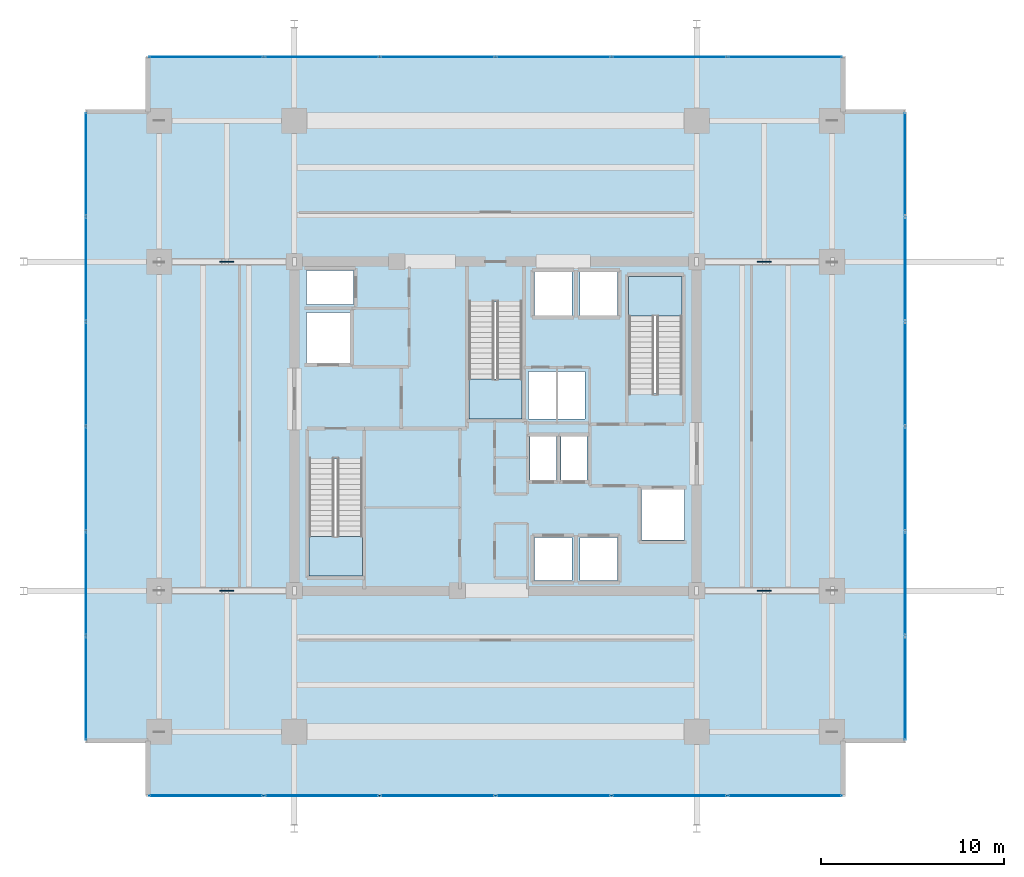
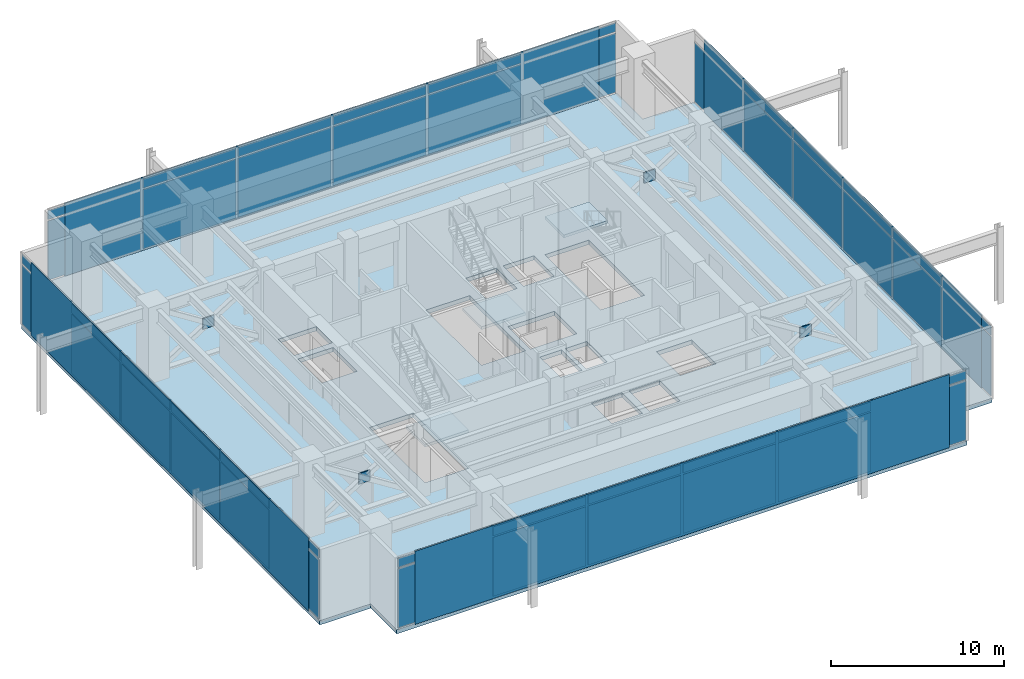
# One storey, part 17 of 21: 55 plates, 4 slabs, 7 elements without a shape of their own.
"""IFC4 building model written with IfcOpenShell, lengths in metres."""

from ifc_helpers import new_model, si_unit, direction, frame, origin, origin_2d, place, context, subcontext, project, spatial, polyline, rectangle, outline, extrude, material, layer, layer_set, type_object, element, aggregate, save


model = new_model("IFC4")

# Units and contexts
model_context = context("Model", 3, precision=1e-05, world=origin(), true_north=direction((0.0, 1.0)))
body_context = subcontext(model_context, "Body", "Model", "MODEL_VIEW")
ifc_project = project(units=[si_unit("LENGTHUNIT", "METRE"), si_unit("AREAUNIT", "SQUARE_METRE"), si_unit("VOLUMEUNIT", "CUBIC_METRE"), si_unit("PLANEANGLEUNIT", "RADIAN"), si_unit("MASSUNIT", "GRAM", prefix="KILO")], contexts=[model_context])

# Site, building, storey
site_placement = place(None, origin())
site = spatial("IfcSite", under=ifc_project, at=site_placement, CompositionType="ELEMENT")
building_placement = place(site_placement, origin())
building = spatial("IfcBuilding", under=site, at=building_placement, Name="Kovane Verandah Tower", CompositionType="ELEMENT")
storey_placement = place(building_placement, frame((0.0, 0.0, 189.39990234375)))
storey = spatial("IfcBuildingStorey", under=building, at=storey_placement, Name="L44", CompositionType="ELEMENT", Elevation=189.39990234375)

# Curtain wall, plates
ifc_material_1 = material(Name="Champagne Anodised Aluminium Frame with Low-E Clear Laminated Glass", Category="aluminium")
curtain_wall_type = type_object("IfcCurtainWallType", Name="CW-SYS-04-WAIST", PredefinedType="NOTDEFINED", material=ifc_material_1)
curtain_wall_1_placement = place(storey_placement, origin())
curtain_wall_1 = element("IfcCurtainWall", 1, at=curtain_wall_1_placement, inside=storey, type_object=curtain_wall_type, Name="L44 S Unitised Curtain Wall", PredefinedType="NOTDEFINED")
ifc_material_2 = material(Name="Pale Champagne Anodised Aluminium Insulated Spandrel", Category="aluminium")
ifc_layer_1 = layer(ifc_material_2, 0.0400390625)
ifc_layer_set_1 = layer_set([ifc_layer_1], Name="Pale Champagne Anodised Aluminium Insulated Spandrel")
plate_type_1 = type_object("IfcPlateType", Name="PL-CW-SPD-40", PredefinedType="SHEET", material=ifc_layer_set_1)
plate_1_placement = place(storey_placement, frame((24.166748046875, 7.300048828125, 4.3701171875), z_axis=(0.0, 0.0, 1.0), x_axis=(1.0, 0.0, 0.0)))
plate_1 = element("IfcPlate", 2, at=plate_1_placement, type_object=plate_type_1, Name="L44 S Unitised Curtain Wall Spandrel Panel 1", PredefinedType="SHEET", context=body_context, shape_type="SweptSolid", body=[
    extrude(rectangle(XDim=6.193359375, YDim=0.0400390625, at=origin_2d()), origin(), (0.0, 0.0, 1.0), 0.639892578125),
])
plate_2_placement = place(storey_placement, frame((30.5, 7.300048828125, 4.3701171875), z_axis=(0.0, 0.0, 1.0), x_axis=(1.0, 0.0, 0.0)))
plate_2 = element("IfcPlate", 3, at=plate_2_placement, type_object=plate_type_1, Name="L44 S Unitised Curtain Wall Spandrel Panel 2", PredefinedType="SHEET", context=body_context, shape_type="SweptSolid", body=[
    extrude(rectangle(XDim=6.193359375, YDim=0.0400390625, at=origin_2d()), origin(), (0.0, 0.0, 1.0), 0.639892578125),
])
plate_3_placement = place(storey_placement, frame((36.833251953125, 7.300048828125, 4.3701171875), z_axis=(0.0, 0.0, 1.0), x_axis=(1.0, 0.0, 0.0)))
plate_3 = element("IfcPlate", 4, at=plate_3_placement, type_object=plate_type_1, Name="L44 S Unitised Curtain Wall Spandrel Panel 3", PredefinedType="SHEET", context=body_context, shape_type="SweptSolid", body=[
    extrude(rectangle(XDim=6.193359375, YDim=0.0400390625, at=origin_2d()), origin(), (0.0, 0.0, 1.0), 0.639892578125),
])
plate_4_placement = place(storey_placement, frame((43.166748046875, 7.300048828125, 4.3701171875), z_axis=(0.0, 0.0, 1.0), x_axis=(1.0, 0.0, 0.0)))
plate_4 = element("IfcPlate", 5, at=plate_4_placement, type_object=plate_type_1, Name="L44 S Unitised Curtain Wall Spandrel Panel 4", PredefinedType="SHEET", context=body_context, shape_type="SweptSolid", body=[
    extrude(rectangle(XDim=6.193359375, YDim=0.0400390625, at=origin_2d()), origin(), (0.0, 0.0, 1.0), 0.639892578125),
])
plate_5_placement = place(storey_placement, frame((49.5, 7.300048828125, 4.3701171875), z_axis=(0.0, 0.0, 1.0), x_axis=(1.0, 0.0, 0.0)))
plate_5 = element("IfcPlate", 6, at=plate_5_placement, type_object=plate_type_1, Name="L44 S Unitised Curtain Wall Spandrel Panel 5", PredefinedType="SHEET", context=body_context, shape_type="SweptSolid", body=[
    extrude(rectangle(XDim=6.193359375, YDim=0.0400390625, at=origin_2d()), origin(), (0.0, 0.0, 1.0), 0.639892578125),
])
plate_6_placement = place(storey_placement, frame((55.833251953125, 7.300048828125, 4.3701171875), z_axis=(0.0, 0.0, 1.0), x_axis=(1.0, 0.0, 0.0)))
plate_6 = element("IfcPlate", 7, at=plate_6_placement, type_object=plate_type_1, Name="L44 S Unitised Curtain Wall Spandrel Panel 6", PredefinedType="SHEET", context=body_context, shape_type="SweptSolid", body=[
    extrude(rectangle(XDim=6.193359375, YDim=0.0400390625, at=origin_2d()), origin(), (0.0, 0.0, 1.0), 0.639892578125),
])

curtain_wall_2_placement = place(storey_placement, origin())
curtain_wall_2 = element("IfcCurtainWall", 8, at=curtain_wall_2_placement, inside=storey, type_object=curtain_wall_type, Name="L44 E Unitised Curtain Wall", PredefinedType="NOTDEFINED")
plate_7_placement = place(storey_placement, frame((62.39990234375, 13.166748046875, 4.3701171875), z_axis=(0.0, 0.0, 1.0), x_axis=(0.0, 1.0, 0.0)))
plate_7 = element("IfcPlate", 9, at=plate_7_placement, type_object=plate_type_1, Name="L44 E Unitised Curtain Wall Spandrel Panel 1", PredefinedType="SHEET", context=body_context, shape_type="SweptSolid", body=[
    extrude(rectangle(XDim=5.59326171875, YDim=0.0400390625, at=origin_2d()), origin(), (0.0, 0.0, 1.0), 0.639892578125),
])
plate_8_placement = place(storey_placement, frame((62.39990234375, 18.89990234375, 4.3701171875), z_axis=(0.0, 0.0, 1.0), x_axis=(0.0, 1.0, 0.0)))
plate_8 = element("IfcPlate", 10, at=plate_8_placement, type_object=plate_type_1, Name="L44 E Unitised Curtain Wall Spandrel Panel 2", PredefinedType="SHEET", context=body_context, shape_type="SweptSolid", body=[
    extrude(rectangle(XDim=5.59326171875, YDim=0.0400390625, at=origin_2d()), origin(), (0.0, 0.0, 1.0), 0.639892578125),
])
plate_9_placement = place(storey_placement, frame((62.39990234375, 24.63330078125, 4.3701171875), z_axis=(0.0, 0.0, 1.0), x_axis=(0.0, 1.0, 0.0)))
plate_9 = element("IfcPlate", 11, at=plate_9_placement, type_object=plate_type_1, Name="L44 E Unitised Curtain Wall Spandrel Panel 3", PredefinedType="SHEET", context=body_context, shape_type="SweptSolid", body=[
    extrude(rectangle(XDim=5.59326171875, YDim=0.0400390625, at=origin_2d()), origin(), (0.0, 0.0, 1.0), 0.639892578125),
])
plate_10_placement = place(storey_placement, frame((62.39990234375, 30.36669921875, 4.3701171875), z_axis=(0.0, 0.0, 1.0), x_axis=(0.0, 1.0, 0.0)))
plate_10 = element("IfcPlate", 12, at=plate_10_placement, type_object=plate_type_1, Name="L44 E Unitised Curtain Wall Spandrel Panel 4", PredefinedType="SHEET", context=body_context, shape_type="SweptSolid", body=[
    extrude(rectangle(XDim=5.59326171875, YDim=0.0400390625, at=origin_2d()), origin(), (0.0, 0.0, 1.0), 0.639892578125),
])
plate_11_placement = place(storey_placement, frame((62.39990234375, 36.10009765625, 4.3701171875), z_axis=(0.0, 0.0, 1.0), x_axis=(0.0, 1.0, 0.0)))
plate_11 = element("IfcPlate", 13, at=plate_11_placement, type_object=plate_type_1, Name="L44 E Unitised Curtain Wall Spandrel Panel 5", PredefinedType="SHEET", context=body_context, shape_type="SweptSolid", body=[
    extrude(rectangle(XDim=5.59326171875, YDim=0.0400390625, at=origin_2d()), origin(), (0.0, 0.0, 1.0), 0.639892578125),
])

curtain_wall_3_placement = place(storey_placement, origin())
curtain_wall_3 = element("IfcCurtainWall", 14, at=curtain_wall_3_placement, inside=storey, type_object=curtain_wall_type, Name="L44 N Unitised Curtain Wall", PredefinedType="NOTDEFINED")
plate_12_placement = place(storey_placement, frame((55.833251953125, 47.699951171875, 4.3701171875), z_axis=(0.0, 0.0, 1.0), x_axis=(-1.0, 0.0, 0.0)))
plate_12 = element("IfcPlate", 15, at=plate_12_placement, type_object=plate_type_1, Name="L44 N Unitised Curtain Wall Spandrel Panel 1", PredefinedType="SHEET", context=body_context, shape_type="SweptSolid", body=[
    extrude(rectangle(XDim=6.193359375, YDim=0.0400390625, at=origin_2d()), origin(), (0.0, 0.0, 1.0), 0.639892578125),
])
plate_13_placement = place(storey_placement, frame((49.5, 47.699951171875, 4.3701171875), z_axis=(0.0, 0.0, 1.0), x_axis=(-1.0, 0.0, 0.0)))
plate_13 = element("IfcPlate", 16, at=plate_13_placement, type_object=plate_type_1, Name="L44 N Unitised Curtain Wall Spandrel Panel 2", PredefinedType="SHEET", context=body_context, shape_type="SweptSolid", body=[
    extrude(rectangle(XDim=6.193359375, YDim=0.0400390625, at=origin_2d()), origin(), (0.0, 0.0, 1.0), 0.639892578125),
])
plate_14_placement = place(storey_placement, frame((43.166748046875, 47.699951171875, 4.3701171875), z_axis=(0.0, 0.0, 1.0), x_axis=(-1.0, 0.0, 0.0)))
plate_14 = element("IfcPlate", 17, at=plate_14_placement, type_object=plate_type_1, Name="L44 N Unitised Curtain Wall Spandrel Panel 3", PredefinedType="SHEET", context=body_context, shape_type="SweptSolid", body=[
    extrude(rectangle(XDim=6.193359375, YDim=0.0400390625, at=origin_2d()), origin(), (0.0, 0.0, 1.0), 0.639892578125),
])
plate_15_placement = place(storey_placement, frame((36.833251953125, 47.699951171875, 4.3701171875), z_axis=(0.0, 0.0, 1.0), x_axis=(-1.0, 0.0, 0.0)))
plate_15 = element("IfcPlate", 18, at=plate_15_placement, type_object=plate_type_1, Name="L44 N Unitised Curtain Wall Spandrel Panel 4", PredefinedType="SHEET", context=body_context, shape_type="SweptSolid", body=[
    extrude(rectangle(XDim=6.193359375, YDim=0.0400390625, at=origin_2d()), origin(), (0.0, 0.0, 1.0), 0.639892578125),
])
plate_16_placement = place(storey_placement, frame((30.5, 47.699951171875, 4.3701171875), z_axis=(0.0, 0.0, 1.0), x_axis=(-1.0, 0.0, 0.0)))
plate_16 = element("IfcPlate", 19, at=plate_16_placement, type_object=plate_type_1, Name="L44 N Unitised Curtain Wall Spandrel Panel 5", PredefinedType="SHEET", context=body_context, shape_type="SweptSolid", body=[
    extrude(rectangle(XDim=6.193359375, YDim=0.0400390625, at=origin_2d()), origin(), (0.0, 0.0, 1.0), 0.639892578125),
])
plate_17_placement = place(storey_placement, frame((24.166748046875, 47.699951171875, 4.3701171875), z_axis=(0.0, 0.0, 1.0), x_axis=(-1.0, 0.0, 0.0)))
plate_17 = element("IfcPlate", 20, at=plate_17_placement, type_object=plate_type_1, Name="L44 N Unitised Curtain Wall Spandrel Panel 6", PredefinedType="SHEET", context=body_context, shape_type="SweptSolid", body=[
    extrude(rectangle(XDim=6.193359375, YDim=0.0400390625, at=origin_2d()), origin(), (0.0, 0.0, 1.0), 0.639892578125),
])

curtain_wall_4_placement = place(storey_placement, origin())
curtain_wall_4 = element("IfcCurtainWall", 21, at=curtain_wall_4_placement, inside=storey, type_object=curtain_wall_type, Name="L44 W Unitised Curtain Wall", PredefinedType="NOTDEFINED")
plate_18_placement = place(storey_placement, frame((17.60009765625, 41.833251953125, 4.3701171875), z_axis=(0.0, 0.0, 1.0), x_axis=(0.0, -1.0, 0.0)))
plate_18 = element("IfcPlate", 22, at=plate_18_placement, type_object=plate_type_1, Name="L44 W Unitised Curtain Wall Spandrel Panel 1", PredefinedType="SHEET", context=body_context, shape_type="SweptSolid", body=[
    extrude(rectangle(XDim=5.59326171875, YDim=0.0400390625, at=origin_2d()), origin(), (0.0, 0.0, 1.0), 0.639892578125),
])
plate_19_placement = place(storey_placement, frame((17.60009765625, 36.10009765625, 4.3701171875), z_axis=(0.0, 0.0, 1.0), x_axis=(0.0, -1.0, 0.0)))
plate_19 = element("IfcPlate", 23, at=plate_19_placement, type_object=plate_type_1, Name="L44 W Unitised Curtain Wall Spandrel Panel 2", PredefinedType="SHEET", context=body_context, shape_type="SweptSolid", body=[
    extrude(rectangle(XDim=5.59326171875, YDim=0.0400390625, at=origin_2d()), origin(), (0.0, 0.0, 1.0), 0.639892578125),
])
plate_20_placement = place(storey_placement, frame((17.60009765625, 30.36669921875, 4.3701171875), z_axis=(0.0, 0.0, 1.0), x_axis=(0.0, -1.0, 0.0)))
plate_20 = element("IfcPlate", 24, at=plate_20_placement, type_object=plate_type_1, Name="L44 W Unitised Curtain Wall Spandrel Panel 3", PredefinedType="SHEET", context=body_context, shape_type="SweptSolid", body=[
    extrude(rectangle(XDim=5.59326171875, YDim=0.0400390625, at=origin_2d()), origin(), (0.0, 0.0, 1.0), 0.639892578125),
])
plate_21_placement = place(storey_placement, frame((17.60009765625, 24.63330078125, 4.3701171875), z_axis=(0.0, 0.0, 1.0), x_axis=(0.0, -1.0, 0.0)))
plate_21 = element("IfcPlate", 25, at=plate_21_placement, type_object=plate_type_1, Name="L44 W Unitised Curtain Wall Spandrel Panel 4", PredefinedType="SHEET", context=body_context, shape_type="SweptSolid", body=[
    extrude(rectangle(XDim=5.59326171875, YDim=0.0400390625, at=origin_2d()), origin(), (0.0, 0.0, 1.0), 0.639892578125),
])
plate_22_placement = place(storey_placement, frame((17.60009765625, 18.89990234375, 4.3701171875), z_axis=(0.0, 0.0, 1.0), x_axis=(0.0, -1.0, 0.0)))
plate_22 = element("IfcPlate", 26, at=plate_22_placement, type_object=plate_type_1, Name="L44 W Unitised Curtain Wall Spandrel Panel 5", PredefinedType="SHEET", context=body_context, shape_type="SweptSolid", body=[
    extrude(rectangle(XDim=5.59326171875, YDim=0.0400390625, at=origin_2d()), origin(), (0.0, 0.0, 1.0), 0.639892578125),
])
plate_23_placement = place(storey_placement, frame((17.60009765625, 13.166748046875, 4.3701171875), z_axis=(0.0, 0.0, 1.0), x_axis=(0.0, -1.0, 0.0)))
plate_23 = element("IfcPlate", 27, at=plate_23_placement, type_object=plate_type_1, Name="L44 W Unitised Curtain Wall Spandrel Panel 6", PredefinedType="SHEET", context=body_context, shape_type="SweptSolid", body=[
    extrude(rectangle(XDim=5.59326171875, YDim=0.0400390625, at=origin_2d()), origin(), (0.0, 0.0, 1.0), 0.639892578125),
])

# Plate
ifc_material_3 = material(Name="Clear Low-E Laminated Double Glazing", Category="glass")
ifc_layer_2 = layer(ifc_material_3, 0.031982421875)
ifc_layer_set_2 = layer_set([ifc_layer_2], Name="Clear Low-E Laminated Double Glazing")
plate_type_2 = type_object("IfcPlateType", Name="PL-CW-VIS-32", PredefinedType="CURTAIN_PANEL", material=ifc_layer_set_2)
plate_24_placement = place(storey_placement, frame((24.166748046875, 7.300048828125, 0.10009765625), z_axis=(0.0, 0.0, 1.0), x_axis=(1.0, 0.0, 0.0)))
plate_24 = element("IfcPlate", 28, at=plate_24_placement, type_object=plate_type_2, Name="L44 S Unitised Curtain Wall Vision Panel 1", PredefinedType="CURTAIN_PANEL", context=body_context, shape_type="SweptSolid", body=[
    extrude(rectangle(XDim=6.193359375, YDim=0.031982421875, at=origin_2d()), origin(), (0.0, 0.0, 1.0), 4.169921875),
])

plate_25_placement = place(storey_placement, frame((30.5, 7.300048828125, 0.10009765625), z_axis=(0.0, 0.0, 1.0), x_axis=(1.0, 0.0, 0.0)))
plate_25 = element("IfcPlate", 29, at=plate_25_placement, type_object=plate_type_2, Name="L44 S Unitised Curtain Wall Vision Panel 2", PredefinedType="CURTAIN_PANEL", context=body_context, shape_type="SweptSolid", body=[
    extrude(rectangle(XDim=6.193359375, YDim=0.031982421875, at=origin_2d()), origin(), (0.0, 0.0, 1.0), 4.169921875),
])

plate_26_placement = place(storey_placement, frame((36.833251953125, 7.300048828125, 0.10009765625), z_axis=(0.0, 0.0, 1.0), x_axis=(1.0, 0.0, 0.0)))
plate_26 = element("IfcPlate", 30, at=plate_26_placement, type_object=plate_type_2, Name="L44 S Unitised Curtain Wall Vision Panel 3", PredefinedType="CURTAIN_PANEL", context=body_context, shape_type="SweptSolid", body=[
    extrude(rectangle(XDim=6.193359375, YDim=0.031982421875, at=origin_2d()), origin(), (0.0, 0.0, 1.0), 4.169921875),
])

plate_27_placement = place(storey_placement, frame((43.166748046875, 7.300048828125, 0.10009765625), z_axis=(0.0, 0.0, 1.0), x_axis=(1.0, 0.0, 0.0)))
plate_27 = element("IfcPlate", 31, at=plate_27_placement, type_object=plate_type_2, Name="L44 S Unitised Curtain Wall Vision Panel 4", PredefinedType="CURTAIN_PANEL", context=body_context, shape_type="SweptSolid", body=[
    extrude(rectangle(XDim=6.193359375, YDim=0.031982421875, at=origin_2d()), origin(), (0.0, 0.0, 1.0), 4.169921875),
])

plate_28_placement = place(storey_placement, frame((49.5, 7.300048828125, 0.10009765625), z_axis=(0.0, 0.0, 1.0), x_axis=(1.0, 0.0, 0.0)))
plate_28 = element("IfcPlate", 32, at=plate_28_placement, type_object=plate_type_2, Name="L44 S Unitised Curtain Wall Vision Panel 5", PredefinedType="CURTAIN_PANEL", context=body_context, shape_type="SweptSolid", body=[
    extrude(rectangle(XDim=6.193359375, YDim=0.031982421875, at=origin_2d()), origin(), (0.0, 0.0, 1.0), 4.169921875),
])

plate_29_placement = place(storey_placement, frame((55.833251953125, 7.300048828125, 0.10009765625), z_axis=(0.0, 0.0, 1.0), x_axis=(1.0, 0.0, 0.0)))
plate_29 = element("IfcPlate", 33, at=plate_29_placement, type_object=plate_type_2, Name="L44 S Unitised Curtain Wall Vision Panel 6", PredefinedType="CURTAIN_PANEL", context=body_context, shape_type="SweptSolid", body=[
    extrude(rectangle(XDim=6.193359375, YDim=0.031982421875, at=origin_2d()), origin(), (0.0, 0.0, 1.0), 4.169921875),
])

aggregate(curtain_wall_1, [plate_24, plate_1, plate_25, plate_2, plate_26, plate_3, plate_27, plate_4, plate_28, plate_5, plate_29, plate_6])

plate_30_placement = place(storey_placement, frame((62.39990234375, 13.166748046875, 0.10009765625), z_axis=(0.0, 0.0, 1.0), x_axis=(0.0, 1.0, 0.0)))
plate_30 = element("IfcPlate", 34, at=plate_30_placement, type_object=plate_type_2, Name="L44 E Unitised Curtain Wall Vision Panel 1", PredefinedType="CURTAIN_PANEL", context=body_context, shape_type="SweptSolid", body=[
    extrude(rectangle(XDim=5.59326171875, YDim=0.031982421875, at=origin_2d()), origin(), (0.0, 0.0, 1.0), 4.169921875),
])

plate_31_placement = place(storey_placement, frame((62.39990234375, 18.89990234375, 0.10009765625), z_axis=(0.0, 0.0, 1.0), x_axis=(0.0, 1.0, 0.0)))
plate_31 = element("IfcPlate", 35, at=plate_31_placement, type_object=plate_type_2, Name="L44 E Unitised Curtain Wall Vision Panel 2", PredefinedType="CURTAIN_PANEL", context=body_context, shape_type="SweptSolid", body=[
    extrude(rectangle(XDim=5.59326171875, YDim=0.031982421875, at=origin_2d()), origin(), (0.0, 0.0, 1.0), 4.169921875),
])

plate_32_placement = place(storey_placement, frame((62.39990234375, 24.63330078125, 0.10009765625), z_axis=(0.0, 0.0, 1.0), x_axis=(0.0, 1.0, 0.0)))
plate_32 = element("IfcPlate", 36, at=plate_32_placement, type_object=plate_type_2, Name="L44 E Unitised Curtain Wall Vision Panel 3", PredefinedType="CURTAIN_PANEL", context=body_context, shape_type="SweptSolid", body=[
    extrude(rectangle(XDim=5.59326171875, YDim=0.031982421875, at=origin_2d()), origin(), (0.0, 0.0, 1.0), 4.169921875),
])

plate_33_placement = place(storey_placement, frame((62.39990234375, 30.36669921875, 0.10009765625), z_axis=(0.0, 0.0, 1.0), x_axis=(0.0, 1.0, 0.0)))
plate_33 = element("IfcPlate", 37, at=plate_33_placement, type_object=plate_type_2, Name="L44 E Unitised Curtain Wall Vision Panel 4", PredefinedType="CURTAIN_PANEL", context=body_context, shape_type="SweptSolid", body=[
    extrude(rectangle(XDim=5.59326171875, YDim=0.031982421875, at=origin_2d()), origin(), (0.0, 0.0, 1.0), 4.169921875),
])

plate_34_placement = place(storey_placement, frame((62.39990234375, 36.10009765625, 0.10009765625), z_axis=(0.0, 0.0, 1.0), x_axis=(0.0, 1.0, 0.0)))
plate_34 = element("IfcPlate", 38, at=plate_34_placement, type_object=plate_type_2, Name="L44 E Unitised Curtain Wall Vision Panel 5", PredefinedType="CURTAIN_PANEL", context=body_context, shape_type="SweptSolid", body=[
    extrude(rectangle(XDim=5.59326171875, YDim=0.031982421875, at=origin_2d()), origin(), (0.0, 0.0, 1.0), 4.169921875),
])

plate_35_placement = place(storey_placement, frame((62.39990234375, 41.833251953125, 0.10009765625), z_axis=(0.0, 0.0, 1.0), x_axis=(0.0, 1.0, 0.0)))
plate_35 = element("IfcPlate", 39, at=plate_35_placement, type_object=plate_type_2, Name="L44 E Unitised Curtain Wall Vision Panel 6", PredefinedType="CURTAIN_PANEL", context=body_context, shape_type="SweptSolid", body=[
    extrude(rectangle(XDim=5.59326171875, YDim=0.031982421875, at=origin_2d()), origin(), (0.0, 0.0, 1.0), 4.169921875),
])

aggregate(curtain_wall_2, [plate_30, plate_7, plate_31, plate_8, plate_32, plate_9, plate_33, plate_10, plate_34, plate_11, plate_35])

plate_36_placement = place(storey_placement, frame((55.833251953125, 47.699951171875, 0.10009765625), z_axis=(0.0, 0.0, 1.0), x_axis=(-1.0, 0.0, 0.0)))
plate_36 = element("IfcPlate", 40, at=plate_36_placement, type_object=plate_type_2, Name="L44 N Unitised Curtain Wall Vision Panel 1", PredefinedType="CURTAIN_PANEL", context=body_context, shape_type="SweptSolid", body=[
    extrude(rectangle(XDim=6.193359375, YDim=0.031982421875, at=origin_2d()), origin(), (0.0, 0.0, 1.0), 4.169921875),
])

plate_37_placement = place(storey_placement, frame((49.5, 47.699951171875, 0.10009765625), z_axis=(0.0, 0.0, 1.0), x_axis=(-1.0, 0.0, 0.0)))
plate_37 = element("IfcPlate", 41, at=plate_37_placement, type_object=plate_type_2, Name="L44 N Unitised Curtain Wall Vision Panel 2", PredefinedType="CURTAIN_PANEL", context=body_context, shape_type="SweptSolid", body=[
    extrude(rectangle(XDim=6.193359375, YDim=0.031982421875, at=origin_2d()), origin(), (0.0, 0.0, 1.0), 4.169921875),
])

plate_38_placement = place(storey_placement, frame((43.166748046875, 47.699951171875, 0.10009765625), z_axis=(0.0, 0.0, 1.0), x_axis=(-1.0, 0.0, 0.0)))
plate_38 = element("IfcPlate", 42, at=plate_38_placement, type_object=plate_type_2, Name="L44 N Unitised Curtain Wall Vision Panel 3", PredefinedType="CURTAIN_PANEL", context=body_context, shape_type="SweptSolid", body=[
    extrude(rectangle(XDim=6.193359375, YDim=0.031982421875, at=origin_2d()), origin(), (0.0, 0.0, 1.0), 4.169921875),
])

plate_39_placement = place(storey_placement, frame((36.833251953125, 47.699951171875, 0.10009765625), z_axis=(0.0, 0.0, 1.0), x_axis=(-1.0, 0.0, 0.0)))
plate_39 = element("IfcPlate", 43, at=plate_39_placement, type_object=plate_type_2, Name="L44 N Unitised Curtain Wall Vision Panel 4", PredefinedType="CURTAIN_PANEL", context=body_context, shape_type="SweptSolid", body=[
    extrude(rectangle(XDim=6.193359375, YDim=0.031982421875, at=origin_2d()), origin(), (0.0, 0.0, 1.0), 4.169921875),
])

plate_40_placement = place(storey_placement, frame((30.5, 47.699951171875, 0.10009765625), z_axis=(0.0, 0.0, 1.0), x_axis=(-1.0, 0.0, 0.0)))
plate_40 = element("IfcPlate", 44, at=plate_40_placement, type_object=plate_type_2, Name="L44 N Unitised Curtain Wall Vision Panel 5", PredefinedType="CURTAIN_PANEL", context=body_context, shape_type="SweptSolid", body=[
    extrude(rectangle(XDim=6.193359375, YDim=0.031982421875, at=origin_2d()), origin(), (0.0, 0.0, 1.0), 4.169921875),
])

plate_41_placement = place(storey_placement, frame((24.166748046875, 47.699951171875, 0.10009765625), z_axis=(0.0, 0.0, 1.0), x_axis=(-1.0, 0.0, 0.0)))
plate_41 = element("IfcPlate", 45, at=plate_41_placement, type_object=plate_type_2, Name="L44 N Unitised Curtain Wall Vision Panel 6", PredefinedType="CURTAIN_PANEL", context=body_context, shape_type="SweptSolid", body=[
    extrude(rectangle(XDim=6.193359375, YDim=0.031982421875, at=origin_2d()), origin(), (0.0, 0.0, 1.0), 4.169921875),
])

aggregate(curtain_wall_3, [plate_36, plate_12, plate_37, plate_13, plate_38, plate_14, plate_39, plate_15, plate_40, plate_16, plate_41, plate_17])

plate_42_placement = place(storey_placement, frame((17.60009765625, 41.833251953125, 0.10009765625), z_axis=(0.0, 0.0, 1.0), x_axis=(0.0, -1.0, 0.0)))
plate_42 = element("IfcPlate", 46, at=plate_42_placement, type_object=plate_type_2, Name="L44 W Unitised Curtain Wall Vision Panel 1", PredefinedType="CURTAIN_PANEL", context=body_context, shape_type="SweptSolid", body=[
    extrude(rectangle(XDim=5.59326171875, YDim=0.031982421875, at=origin_2d()), origin(), (0.0, 0.0, 1.0), 4.169921875),
])

plate_43_placement = place(storey_placement, frame((17.60009765625, 36.10009765625, 0.10009765625), z_axis=(0.0, 0.0, 1.0), x_axis=(0.0, -1.0, 0.0)))
plate_43 = element("IfcPlate", 47, at=plate_43_placement, type_object=plate_type_2, Name="L44 W Unitised Curtain Wall Vision Panel 2", PredefinedType="CURTAIN_PANEL", context=body_context, shape_type="SweptSolid", body=[
    extrude(rectangle(XDim=5.59326171875, YDim=0.031982421875, at=origin_2d()), origin(), (0.0, 0.0, 1.0), 4.169921875),
])

plate_44_placement = place(storey_placement, frame((17.60009765625, 30.36669921875, 0.10009765625), z_axis=(0.0, 0.0, 1.0), x_axis=(0.0, -1.0, 0.0)))
plate_44 = element("IfcPlate", 48, at=plate_44_placement, type_object=plate_type_2, Name="L44 W Unitised Curtain Wall Vision Panel 3", PredefinedType="CURTAIN_PANEL", context=body_context, shape_type="SweptSolid", body=[
    extrude(rectangle(XDim=5.59326171875, YDim=0.031982421875, at=origin_2d()), origin(), (0.0, 0.0, 1.0), 4.169921875),
])

plate_45_placement = place(storey_placement, frame((17.60009765625, 24.63330078125, 0.10009765625), z_axis=(0.0, 0.0, 1.0), x_axis=(0.0, -1.0, 0.0)))
plate_45 = element("IfcPlate", 49, at=plate_45_placement, type_object=plate_type_2, Name="L44 W Unitised Curtain Wall Vision Panel 4", PredefinedType="CURTAIN_PANEL", context=body_context, shape_type="SweptSolid", body=[
    extrude(rectangle(XDim=5.59326171875, YDim=0.031982421875, at=origin_2d()), origin(), (0.0, 0.0, 1.0), 4.169921875),
])

plate_46_placement = place(storey_placement, frame((17.60009765625, 18.89990234375, 0.10009765625), z_axis=(0.0, 0.0, 1.0), x_axis=(0.0, -1.0, 0.0)))
plate_46 = element("IfcPlate", 50, at=plate_46_placement, type_object=plate_type_2, Name="L44 W Unitised Curtain Wall Vision Panel 5", PredefinedType="CURTAIN_PANEL", context=body_context, shape_type="SweptSolid", body=[
    extrude(rectangle(XDim=5.59326171875, YDim=0.031982421875, at=origin_2d()), origin(), (0.0, 0.0, 1.0), 4.169921875),
])

plate_47_placement = place(storey_placement, frame((17.60009765625, 13.166748046875, 0.10009765625), z_axis=(0.0, 0.0, 1.0), x_axis=(0.0, -1.0, 0.0)))
plate_47 = element("IfcPlate", 51, at=plate_47_placement, type_object=plate_type_2, Name="L44 W Unitised Curtain Wall Vision Panel 6", PredefinedType="CURTAIN_PANEL", context=body_context, shape_type="SweptSolid", body=[
    extrude(rectangle(XDim=5.59326171875, YDim=0.031982421875, at=origin_2d()), origin(), (0.0, 0.0, 1.0), 4.169921875),
])

aggregate(curtain_wall_4, [plate_42, plate_18, plate_43, plate_19, plate_44, plate_20, plate_45, plate_21, plate_46, plate_22, plate_47, plate_23])

# Plates
ifc_material_4 = material(Name="Cyclone-Rated Acoustic Storm Aluminium Louvre", Category="aluminium")
ifc_layer_3 = layer(ifc_material_4, 0.074951171875)
ifc_layer_set_3 = layer_set([ifc_layer_3], Name="Cyclone-Rated Acoustic Storm Aluminium Louvre")
plate_type_3 = type_object("IfcPlateType", Name="PL-LOUVRE-75", PredefinedType="USERDEFINED", material=ifc_layer_set_3)
plate_48_placement = place(storey_placement, frame((40.0, 7.284912109375, -0.02001953125), z_axis=(0.0, 0.0, 1.0), x_axis=(1.0, 0.0, 0.0)))
element("IfcPlate", 52, at=plate_48_placement, inside=storey, type_object=plate_type_3, Name="L44 S Cyclone Storm Louvre Bank", ObjectType="LOUVRE", PredefinedType="USERDEFINED", context=body_context, shape_type="SweptSolid", body=[
    extrude(rectangle(XDim=35.60009765625, YDim=0.074951171875, at=origin_2d()), origin(), (0.0, 0.0, 1.0), 5.159912109375),
])
plate_49_placement = place(storey_placement, frame((62.4150390625, 27.5, -0.02001953125), z_axis=(0.0, 0.0, 1.0), x_axis=(0.0, 1.0, 0.0)))
element("IfcPlate", 53, at=plate_49_placement, inside=storey, type_object=plate_type_3, Name="L44 E Cyclone Storm Louvre Bank", ObjectType="LOUVRE", PredefinedType="USERDEFINED", context=body_context, shape_type="SweptSolid", body=[
    extrude(rectangle(XDim=32.0, YDim=0.074951171875, at=origin_2d()), origin(), (0.0, 0.0, 1.0), 5.159912109375),
])
plate_50_placement = place(storey_placement, frame((40.0, 47.715087890625, -0.02001953125), z_axis=(0.0, 0.0, 1.0), x_axis=(-1.0, 0.0, 0.0)))
element("IfcPlate", 54, at=plate_50_placement, inside=storey, type_object=plate_type_3, Name="L44 N Cyclone Storm Louvre Bank", ObjectType="LOUVRE", PredefinedType="USERDEFINED", context=body_context, shape_type="SweptSolid", body=[
    extrude(rectangle(XDim=35.60009765625, YDim=0.074951171875, at=origin_2d()), origin(), (0.0, 0.0, 1.0), 5.159912109375),
])
plate_51_placement = place(storey_placement, frame((17.5849609375, 27.5, -0.02001953125), z_axis=(0.0, 0.0, 1.0), x_axis=(0.0, -1.0, 0.0)))
element("IfcPlate", 55, at=plate_51_placement, inside=storey, type_object=plate_type_3, Name="L44 W Cyclone Storm Louvre Bank", ObjectType="LOUVRE", PredefinedType="USERDEFINED", context=body_context, shape_type="SweptSolid", body=[
    extrude(rectangle(XDim=32.0, YDim=0.074951171875, at=origin_2d()), origin(), (0.0, 0.0, 1.0), 5.159912109375),
])
ifc_material_5 = material(Name="Steel S460", Category="steel")
ifc_layer_4 = layer(ifc_material_5, 0.06005859375)
ifc_layer_set_4 = layer_set([ifc_layer_4], Name="Steel S460")
plate_type_4 = type_object("IfcPlateType", Name="PL-XNODE-60", PredefinedType="USERDEFINED", material=ifc_layer_set_4)
for number, where, z_axis, x_axis, name in (
    (56, (25.300048828125, 18.5, 2.09521484375), (0.0, 0.0, 1.0), (-1.0, 0.0, 0.0), "L44 Outrigger X-Brace Crossing Gusset OW1"),
    (57, (25.300048828125, 36.5, 2.09521484375), (0.0, 0.0, 1.0), (-1.0, 0.0, 0.0), "L44 Outrigger X-Brace Crossing Gusset OW2"),
    (58, (54.699951171875, 18.5, 2.09521484375), (0.0, 0.0, 1.0), (1.0, 0.0, 0.0), "L44 Outrigger X-Brace Crossing Gusset OE1"),
    (59, (54.699951171875, 36.5, 2.09521484375), (0.0, 0.0, 1.0), (1.0, 0.0, 0.0), "L44 Outrigger X-Brace Crossing Gusset OE2"),
):
    element("IfcPlate", number, at=place(storey_placement, frame(where, z_axis=z_axis, x_axis=x_axis)), inside=storey, type_object=plate_type_4, Name=name, ObjectType="GUSSET", PredefinedType="USERDEFINED", context=body_context, shape_type="SweptSolid", body=[
        extrude(rectangle(XDim=0.75, YDim=0.06005859375, at=origin_2d()), origin(), (0.0, 0.0, 1.0), 0.75),
    ])

# Slab
ifc_material_6 = material(Name="Concrete C60/75", Category="concrete")
ifc_layer_5 = layer(ifc_material_6, 0.300048828125)
ifc_layer_set_5 = layer_set([ifc_layer_5], Name="Concrete C60/75")
slab_type_1 = type_object("IfcSlabType", Name="SL-HVY-300", PredefinedType="FLOOR", material=ifc_layer_set_5)
slab_1_placement = place(storey_placement, frame((0.0, 0.0, -0.2998046875)))
element("IfcSlab", 60, at=slab_1_placement, inside=storey, type_object=slab_type_1, Name="L44 Structural Floor Slab", PredefinedType="FLOOR", context=body_context, shape_type="SweptSolid", body=[
    extrude(outline(polyline([(21.0, 7.300048828125), (59.0, 7.300048828125), (59.0, 10.300048828125), (62.39990234375, 10.300048828125), (62.39990234375, 44.699951171875), (59.0, 44.699951171875), (59.0, 47.699951171875), (21.0, 47.699951171875), (21.0, 44.699951171875), (17.60009765625, 44.699951171875), (17.60009765625, 10.300048828125), (21.0, 10.300048828125), (21.0, 7.300048828125)]), holes=[polyline([(29.800048828125, 19.300048828125), (32.719970703125, 19.300048828125), (32.719970703125, 25.705078125), (29.800048828125, 25.705078125), (29.800048828125, 19.300048828125)]), polyline([(47.280029296875, 29.294921875), (50.199951171875, 29.294921875), (50.199951171875, 35.699951171875), (47.280029296875, 35.699951171875), (47.280029296875, 29.294921875)]), polyline([(38.5400390625, 27.89990234375), (41.4599609375, 27.89990234375), (41.4599609375, 34.304931640625), (38.5400390625, 34.304931640625), (38.5400390625, 27.89990234375)]), polyline([(29.669921875, 30.969970703125), (32.030029296875, 30.969970703125), (32.030029296875, 33.72998046875), (29.669921875, 33.72998046875), (29.669921875, 30.969970703125)]), polyline([(47.969970703125, 21.27001953125), (50.330078125, 21.27001953125), (50.330078125, 24.030029296875), (47.969970703125, 24.030029296875), (47.969970703125, 21.27001953125)]), polyline([(29.669921875, 34.169921875), (32.22998046875, 34.169921875), (32.22998046875, 36.030029296875), (29.669921875, 36.030029296875), (29.669921875, 34.169921875)]), polyline([(42.1201171875, 19.070068359375), (44.179931640625, 19.070068359375), (44.179931640625, 21.429931640625), (42.1201171875, 21.429931640625), (42.1201171875, 19.070068359375)]), polyline([(44.6201171875, 19.070068359375), (46.679931640625, 19.070068359375), (46.679931640625, 21.429931640625), (44.6201171875, 21.429931640625), (44.6201171875, 19.070068359375)]), polyline([(41.8798828125, 24.570068359375), (43.320068359375, 24.570068359375), (43.320068359375, 26.929931640625), (41.8798828125, 26.929931640625), (41.8798828125, 24.570068359375)]), polyline([(43.580078125, 24.570068359375), (45.0, 24.570068359375), (45.0, 26.929931640625), (43.580078125, 26.929931640625), (43.580078125, 24.570068359375)]), polyline([(42.1201171875, 33.570068359375), (44.179931640625, 33.570068359375), (44.179931640625, 35.929931640625), (42.1201171875, 35.929931640625), (42.1201171875, 33.570068359375)]), polyline([(44.6201171875, 33.570068359375), (46.679931640625, 33.570068359375), (46.679931640625, 35.929931640625), (44.6201171875, 35.929931640625), (44.6201171875, 33.570068359375)]), polyline([(41.800048828125, 27.89990234375), (44.89990234375, 27.89990234375), (44.89990234375, 30.5), (41.800048828125, 30.5), (41.800048828125, 27.89990234375)])]), origin(), (0.0, 0.0, 1.0), 0.2998046875),
])

# Stair, slab
ifc_material_7 = material(Name="Concrete C45/55", Category="concrete")
stair_type = type_object("IfcStairType", Name="ST-CORE-1380", PredefinedType="HALF_TURN_STAIR", material=ifc_material_7)
stair_1_placement = place(storey_placement, origin())
stair_1 = element("IfcStair", 61, at=stair_1_placement, inside=storey, type_object=stair_type, Name="L44 Exit Stair ST-01", PredefinedType="HALF_TURN_STAIR")
ifc_layer_6 = layer(ifc_material_7, 0.199951171875)
ifc_layer_set_6 = layer_set([ifc_layer_6], Name="Concrete C45/55")
slab_type_2 = type_object("IfcSlabType", Name="SL-LAND-200", PredefinedType="LANDING", material=ifc_layer_set_6)
slab_2_placement = place(storey_placement, frame((0.0, 0.0, 2.5)))
slab_2 = element("IfcSlab", 62, at=slab_2_placement, type_object=slab_type_2, Name="ST-01 landing 1", PredefinedType="LANDING", context=body_context, shape_type="SweptSolid", body=[
    extrude(outline(polyline([(29.800048828125, 21.47509765625), (29.800048828125, 19.300048828125), (32.719970703125, 19.300048828125), (32.719970703125, 21.47509765625), (29.800048828125, 21.47509765625)])), origin(), (0.0, 0.0, 1.0), 0.2001953125),
])
aggregate(stair_1, [slab_2])

stair_2_placement = place(storey_placement, origin())
stair_2 = element("IfcStair", 63, at=stair_2_placement, inside=storey, type_object=stair_type, Name="L44 Exit Stair ST-02", PredefinedType="HALF_TURN_STAIR")
slab_3_placement = place(storey_placement, frame((0.0, 0.0, 2.5)))
slab_3 = element("IfcSlab", 64, at=slab_3_placement, type_object=slab_type_2, Name="ST-02 landing 1", PredefinedType="LANDING", context=body_context, shape_type="SweptSolid", body=[
    extrude(outline(polyline([(50.199951171875, 33.52490234375), (50.199951171875, 35.699951171875), (47.280029296875, 35.699951171875), (47.280029296875, 33.52490234375), (50.199951171875, 33.52490234375)])), origin(), (0.0, 0.0, 1.0), 0.2001953125),
])
aggregate(stair_2, [slab_3])

stair_3_placement = place(storey_placement, origin())
stair_3 = element("IfcStair", 65, at=stair_3_placement, inside=storey, type_object=stair_type, Name="L44 Exit Stair ST-03", PredefinedType="HALF_TURN_STAIR")
slab_4_placement = place(storey_placement, frame((0.0, 0.0, 2.5)))
slab_4 = element("IfcSlab", 66, at=slab_4_placement, type_object=slab_type_2, Name="ST-03 landing 1", PredefinedType="LANDING", context=body_context, shape_type="SweptSolid", body=[
    extrude(outline(polyline([(38.5400390625, 30.074951171875), (38.5400390625, 27.89990234375), (41.4599609375, 27.89990234375), (41.4599609375, 30.074951171875), (38.5400390625, 30.074951171875)])), origin(), (0.0, 0.0, 1.0), 0.2001953125),
])
aggregate(stair_3, [slab_4])

save(model, "model.ifc")
